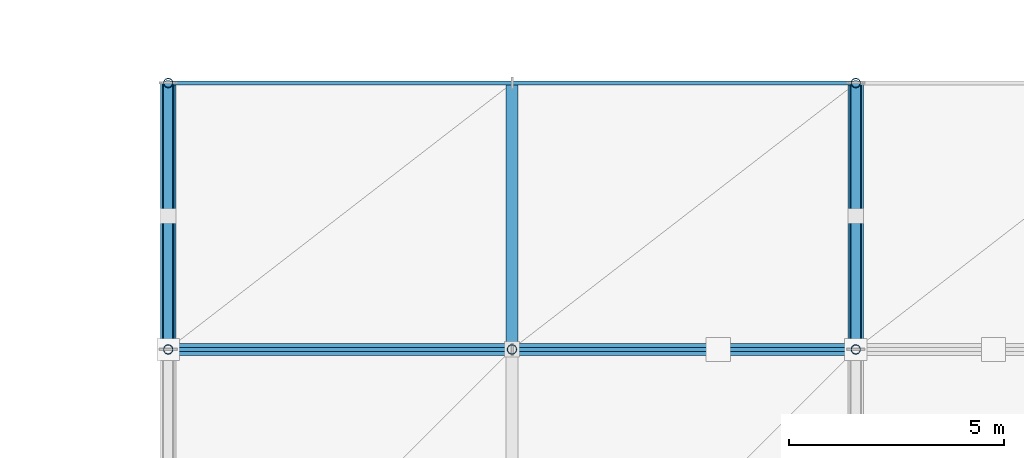
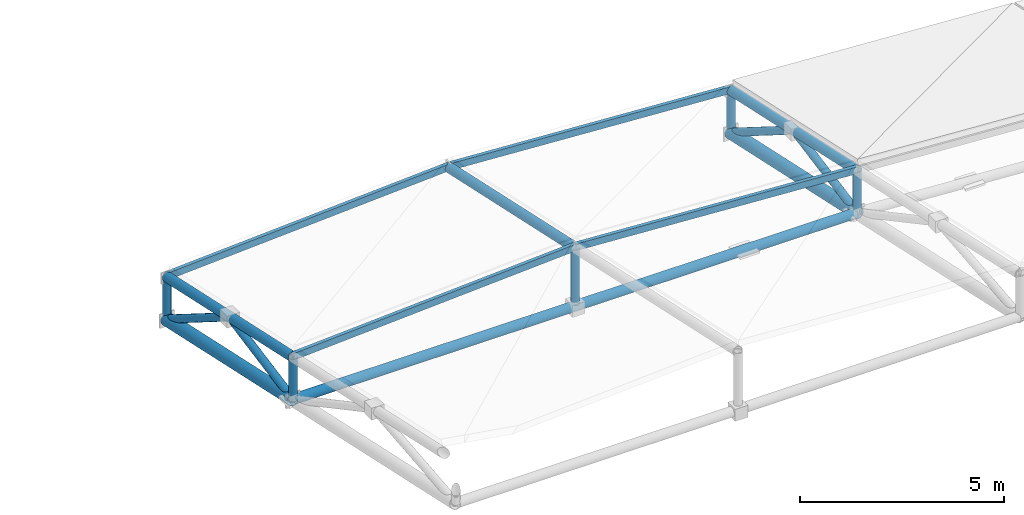
# One storey, part 25 of 67: 16 members, 3 beams.
"""IFC4 building model written with IfcOpenShell, lengths in metres."""

from ifc_helpers import new_model, si_unit, direction, frame, origin, origin_2d, place, context, subcontext, project, spatial, hollow_rectangle, hollow_circle, extrude, material, material_profile, profile_set, type_object, element, save


model = new_model("IFC4")

# Units and contexts
model_context = context("Model", 3, precision=1e-05, world=origin(), true_north=direction((0.0, 1.0)))
body_context = subcontext(model_context, "Body", "Model", "MODEL_VIEW")
ifc_project = project(units=[si_unit("LENGTHUNIT", "METRE"), si_unit("AREAUNIT", "SQUARE_METRE"), si_unit("VOLUMEUNIT", "CUBIC_METRE"), si_unit("PLANEANGLEUNIT", "RADIAN"), si_unit("MASSUNIT", "GRAM", prefix="KILO")], contexts=[model_context])

# Site, building, storey
site_placement = place(None, origin())
site = spatial("IfcSite", under=ifc_project, at=site_placement, CompositionType="ELEMENT")
building_placement = place(site_placement, origin())
building = spatial("IfcBuilding", under=site, at=building_placement, Name="Drelvath Fold Interchange", CompositionType="ELEMENT")
storey_placement = place(building_placement, frame((0.0, 0.0, 15.60009765625)))
storey = spatial("IfcBuildingStorey", under=building, at=storey_placement, Name="L03", CompositionType="ELEMENT", Elevation=15.60009765625)

# Members
ifc_material = material(Name="Steel ASTM A500 Grade C", Category="steel")
ifc_material_profile_1 = material_profile(ifc_material, hollow_rectangle(XDim=0.10205078125, YDim=0.202880859375, WallThickness=0.00732421875, at=origin_2d()), Name="HSS8X4X5/16")
ifc_profile_set_1 = profile_set([ifc_material_profile_1], Name="Steel ASTM A500 Grade C")
member_type_1 = type_object("IfcMemberType", Name="PR-HSS203", PredefinedType="PURLIN", material=ifc_profile_set_1)
for number, where, z_axis, x_axis, name in (
    (1, (102.0, 67.0, 2.43896484375), (0.998197699277, 0.0, 0.060011275256), (0.0, 1.0, 0.0), "L03 Space frame canopy purlin PR-HSS203"),
    (2, (110.0, 67.0, 2.919921875), (0.998197699277, 0.0, -0.060011275256), (0.0, 1.0, 0.0), "L03 Space frame canopy purlin PR-HSS203"),
    (3, (102.0, 73.199951171875, 1.0869140625), (0.998197699277, 0.0, 0.060011275256), (0.0, 1.0, 0.0), "L03 Space frame canopy purlin PR-HSS203"),
    (4, (110.0, 73.199951171875, 1.56787109375), (0.998197699277, 0.0, -0.060011275256), (0.0, 1.0, 0.0), "L03 Space frame canopy purlin PR-HSS203"),
):
    element("IfcMember", number, at=place(storey_placement, frame(where, z_axis=z_axis, x_axis=x_axis)), inside=storey, type_object=member_type_1, Name=name, PredefinedType="PURLIN", context=body_context, shape_type="SweptSolid", body=[
        extrude(hollow_rectangle(XDim=0.10205078125, YDim=0.202880859375, WallThickness=0.00732421875, at=origin_2d()), origin(), (0.0, 0.0, 1.0), 8.014404296875),
    ])
ifc_material_profile_2 = material_profile(ifc_material, hollow_circle(Radius=0.136474609375, WallThickness=0.01171875, at=origin_2d()), Name="HSS10.750X0.500")
ifc_profile_set_2 = profile_set([ifc_material_profile_2], Name="Steel ASTM A500 Grade C")
member_type_2 = type_object("IfcMemberType", Name="SF-CHD273", PredefinedType="CHORD", material=ifc_profile_set_2)
for number, where, z_axis, x_axis, name in (
    (5, (102.0, 67.0, 2.406982421875), (0.0, 0.97703760939, -0.213066913991), (-1.0, 0.0, 0.0), "L03 Space frame roof truss upper chord SF-CHD273"),
    (6, (118.0, 67.0, 2.406982421875), (0.0, 0.97703760939, -0.213066913991), (-1.0, 0.0, 0.0), "L03 Space frame roof truss upper chord SF-CHD273"),
    (7, (110.0, 67.0, 2.887939453125), (0.0, 0.97703760939, -0.213066913991), (-1.0, 0.0, 0.0), "L03 Space frame crown chord SF-CHD273"),
):
    element("IfcMember", number, at=place(storey_placement, frame(where, z_axis=z_axis, x_axis=x_axis)), inside=storey, type_object=member_type_2, Name=name, PredefinedType="CHORD", context=body_context, shape_type="SweptSolid", body=[
        extrude(hollow_circle(Radius=0.136474609375, WallThickness=0.01171875, at=origin_2d()), origin(), (0.0, 0.0, 1.0), 6.345703125),
    ])

# Beams
ifc_material_profile_3 = material_profile(ifc_material, hollow_circle(Radius=0.177978515625, WallThickness=0.01171875, at=origin_2d()), Name="HSS14.000X0.500")
ifc_profile_set_3 = profile_set([ifc_material_profile_3], Name="Steel ASTM A500 Grade C")
beam_type_1 = type_object("IfcBeamType", Name="SF-RIB356", PredefinedType="BEAM", material=ifc_profile_set_3)
for number, where, z_axis, x_axis, name in (
    (8, (102.0, 67.0, 1.136962890625), (0.0, 0.97703760939, -0.213066913991), (-1.0, 0.0, 0.0), "Space frame roof truss main rib chord EAST"),
    (9, (118.0, 67.0, 1.136962890625), (0.0, 0.97703760939, -0.213066913991), (-1.0, 0.0, 0.0), "Space frame roof truss main rib chord EAST"),
):
    element("IfcBeam", number, at=place(storey_placement, frame(where, z_axis=z_axis, x_axis=x_axis)), inside=storey, type_object=beam_type_1, Name=name, PredefinedType="BEAM", context=body_context, shape_type="SweptSolid", body=[
        extrude(hollow_circle(Radius=0.177978515625, WallThickness=0.01171875, at=origin_2d()), origin(), (0.0, 0.0, 1.0), 6.345703125),
    ])
ifc_material_profile_4 = material_profile(ifc_material, hollow_circle(Radius=0.136474609375, WallThickness=0.01171875, at=origin_2d()), Name="HSS10.750X0.500")
ifc_profile_set_4 = profile_set([ifc_material_profile_4], Name="Steel ASTM A500 Grade C")
beam_type_2 = type_object("IfcBeamType", Name="SF-TIE273", PredefinedType="BEAM", material=ifc_profile_set_4)
beam_placement = place(storey_placement, frame((102.050048828125, 67.0, 1.136962890625), z_axis=(1.0, 0.0, 0.0), x_axis=(0.0, 1.0, 0.0)))
element("IfcBeam", 10, at=beam_placement, inside=storey, type_object=beam_type_2, Name="Space frame roof truss longitudinal tie EAST", PredefinedType="BEAM", context=body_context, shape_type="SweptSolid", body=[
    extrude(hollow_circle(Radius=0.136474609375, WallThickness=0.01171875, at=origin_2d()), origin(), (0.0, 0.0, 1.0), 15.89990234375),
])

# Members
ifc_material_profile_5 = material_profile(ifc_material, hollow_circle(Radius=0.109619140625, WallThickness=0.0087890625, at=origin_2d()), Name="HSS8.625X0.375")
ifc_profile_set_5 = profile_set([ifc_material_profile_5], Name="Steel ASTM A500 Grade C")
member_type_3 = type_object("IfcMemberType", Name="SF-WEB219", PredefinedType="BRACE", material=ifc_profile_set_5)
member_1_placement = place(storey_placement, frame((102.0, 67.0, 1.136962890625), z_axis=(0.0, 0.982134211284, 0.188181803123), x_axis=(-1.0, 0.0, 0.0)))
element("IfcMember", 11, at=member_1_placement, inside=storey, type_object=member_type_3, Name="L03 Space frame roof truss web brace SF-WEB219", PredefinedType="BRACE", context=body_context, shape_type="SweptSolid", body=[
    extrude(hollow_circle(Radius=0.109619140625, WallThickness=0.0087890625, at=origin_2d()), origin(), (0.0, 0.0, 1.0), 3.156494140625),
])
member_2_placement = place(storey_placement, frame((102.0, 70.10009765625, 1.73095703125), z_axis=(0.0, 0.84693609346, -0.531694699612), x_axis=(-1.0, 0.0, 0.0)))
element("IfcMember", 12, at=member_2_placement, inside=storey, type_object=member_type_3, Name="L03 Space frame roof truss web brace SF-WEB219", PredefinedType="BRACE", context=body_context, shape_type="SweptSolid", body=[
    extrude(hollow_circle(Radius=0.109619140625, WallThickness=0.0087890625, at=origin_2d()), origin(), (0.0, 0.0, 1.0), 3.66015625),
])
for number, where, z_axis, x_axis, name in (
    (13, (102.0, 67.0, 1.136962890625), (0.0, 0.0, 1.0), (1.0, 0.0, 0.0), "L03 Space frame roof truss web brace SF-WEB219"),
    (14, (102.0, 73.199951171875, -0.215087890625), (0.0, 0.0, 1.0), (1.0, 0.0, 0.0), "L03 Space frame roof truss web brace SF-WEB219"),
):
    element("IfcMember", number, at=place(storey_placement, frame(where, z_axis=z_axis, x_axis=x_axis)), inside=storey, type_object=member_type_3, Name=name, PredefinedType="BRACE", context=body_context, shape_type="SweptSolid", body=[
        extrude(hollow_circle(Radius=0.109619140625, WallThickness=0.0087890625, at=origin_2d()), origin(), (0.0, 0.0, 1.0), 1.27001953125),
    ])
member_3_placement = place(storey_placement, frame((118.0, 67.0, 1.136962890625), z_axis=(0.0, 0.982134211284, 0.188181803123), x_axis=(-1.0, 0.0, 0.0)))
element("IfcMember", 15, at=member_3_placement, inside=storey, type_object=member_type_3, Name="L03 Space frame roof truss web brace SF-WEB219", PredefinedType="BRACE", context=body_context, shape_type="SweptSolid", body=[
    extrude(hollow_circle(Radius=0.109619140625, WallThickness=0.0087890625, at=origin_2d()), origin(), (0.0, 0.0, 1.0), 3.156494140625),
])
member_4_placement = place(storey_placement, frame((118.0, 70.10009765625, 1.73095703125), z_axis=(0.0, 0.84693609346, -0.531694699612), x_axis=(-1.0, 0.0, 0.0)))
element("IfcMember", 16, at=member_4_placement, inside=storey, type_object=member_type_3, Name="L03 Space frame roof truss web brace SF-WEB219", PredefinedType="BRACE", context=body_context, shape_type="SweptSolid", body=[
    extrude(hollow_circle(Radius=0.109619140625, WallThickness=0.0087890625, at=origin_2d()), origin(), (0.0, 0.0, 1.0), 3.66015625),
])
for number, where, z_axis, x_axis, name in (
    (17, (118.0, 67.0, 1.136962890625), (0.0, 0.0, 1.0), (1.0, 0.0, 0.0), "L03 Space frame roof truss web brace SF-WEB219"),
    (18, (118.0, 73.199951171875, -0.215087890625), (0.0, 0.0, 1.0), (1.0, 0.0, 0.0), "L03 Space frame roof truss web brace SF-WEB219"),
):
    element("IfcMember", number, at=place(storey_placement, frame(where, z_axis=z_axis, x_axis=x_axis)), inside=storey, type_object=member_type_3, Name=name, PredefinedType="BRACE", context=body_context, shape_type="SweptSolid", body=[
        extrude(hollow_circle(Radius=0.109619140625, WallThickness=0.0087890625, at=origin_2d()), origin(), (0.0, 0.0, 1.0), 1.27001953125),
    ])
member_5_placement = place(storey_placement, frame((110.0, 67.0, 1.136962890625), z_axis=(0.0, 0.0, 1.0), x_axis=(1.0, 0.0, 0.0)))
element("IfcMember", 19, at=member_5_placement, inside=storey, type_object=member_type_3, Name="L03 Space frame crown post SF-WEB219", PredefinedType="BRACE", context=body_context, shape_type="SweptSolid", body=[
    extrude(hollow_circle(Radius=0.109619140625, WallThickness=0.0087890625, at=origin_2d()), origin(), (0.0, 0.0, 1.0), 1.7509765625),
])

save(model, "model.ifc")
